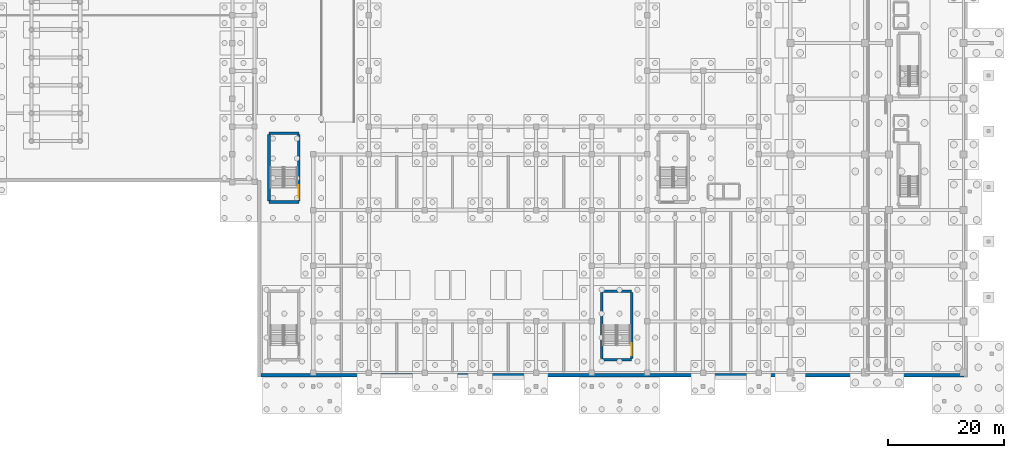
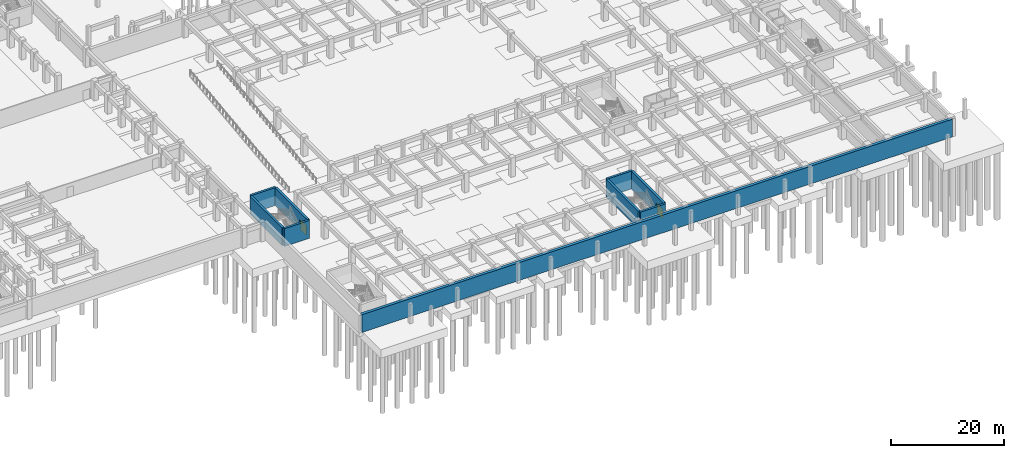
# One storey, part 17 of 39: 9 walls, 2 doors, 2 openings.
"""IFC4 building model written with IfcOpenShell, lengths in metres."""

from ifc_helpers import new_model, si_unit, direction, frame, frame_2d, origin, place, context, subcontext, project, spatial, rectangle, extrude, material, layer, layer_set, type_object, element, fill, save


model = new_model("IFC4")

# Units and contexts
model_context = context("Model", 3, precision=1e-05, world=origin(), true_north=direction((0.0, 1.0)))
body_context = subcontext(model_context, "Body", "Model", "MODEL_VIEW")
ifc_project = project(units=[si_unit("LENGTHUNIT", "METRE"), si_unit("AREAUNIT", "SQUARE_METRE"), si_unit("VOLUMEUNIT", "CUBIC_METRE"), si_unit("PLANEANGLEUNIT", "RADIAN"), si_unit("MASSUNIT", "GRAM", prefix="KILO")], contexts=[model_context])

# Site, building, storey
site_placement = place(None, origin())
site = spatial("IfcSite", under=ifc_project, at=site_placement, CompositionType="ELEMENT")
building_placement = place(site_placement, origin())
building = spatial("IfcBuilding", under=site, at=building_placement, Name="Nakhvara Creek Congress Hotel", CompositionType="ELEMENT")
storey_placement = place(building_placement, frame((0.0, 0.0, -8.39990234375)))
storey = spatial("IfcBuildingStorey", under=building, at=storey_placement, Name="B2", CompositionType="ELEMENT", Elevation=-8.39990234375)

# Walls
ifc_material_1 = material(Name="Concrete C50/60", Category="concrete")
ifc_layer_1 = layer(ifc_material_1, 0.449951171875)
ifc_layer_set_1 = layer_set([ifc_layer_1], Name="Concrete C50/60")
wall_type_1 = type_object("IfcWallType", Name="W-CORE-450", PredefinedType="SHEAR", material=ifc_layer_set_1)
for number, where, z_axis, x_axis, name in (
    (1, (116.949951171875, 2.97998046875, 0.0), (0.0, 0.0, 1.0), (1.0, 0.0, 0.0), "Core Shear Wall WS02-CWALL-B2-0955"),
    (2, (116.949951171875, 14.820068359375, 0.0), (0.0, 0.0, 1.0), (1.0, 0.0, 0.0), "Core Shear Wall WS02-CWALL-B2-0956"),
):
    element("IfcWall", number, at=place(storey_placement, frame(where, z_axis=z_axis, x_axis=x_axis)), inside=storey, type_object=wall_type_1, Name=name, PredefinedType="SHEAR", context=body_context, shape_type="SweptSolid", body=[
        extrude(rectangle(XDim=5.150146484375, YDim=0.449951171875, at=frame_2d((2.5751953125, 0.0))), origin(), (0.0, 0.0, 1.0), 3.85986328125),
    ])
wall_1_placement = place(storey_placement, frame((116.949951171875, 3.199951171875, 0.0), z_axis=(0.0, 0.0, 1.0), x_axis=(0.0, 1.0, 0.0)))
element("IfcWall", 3, at=wall_1_placement, inside=storey, type_object=wall_type_1, Name="Core Shear Wall WS02-CWALL-B2-0957", PredefinedType="SHEAR", context=body_context, shape_type="SweptSolid", body=[
    extrude(rectangle(XDim=11.400146484375, YDim=0.449951171875, at=frame_2d((5.7001953125, 0.0))), origin(), (0.0, 0.0, 1.0), 3.85986328125),
])

# Wall, opening, door
wall_2_placement = place(storey_placement, frame((122.10009765625, 3.199951171875, 0.0), z_axis=(0.0, 0.0, 1.0), x_axis=(0.0, 1.0, 0.0)))
wall_2 = element("IfcWall", 4, at=wall_2_placement, inside=storey, type_object=wall_type_1, Name="Core Shear Wall WS02-CWALL-B2-0958", PredefinedType="SHEAR", context=body_context, shape_type="SweptSolid", body=[
    extrude(rectangle(XDim=11.400146484375, YDim=0.449951171875, at=frame_2d((5.7001953125, 0.0))), origin(), (0.0, 0.0, 1.0), 3.85986328125),
])
opening_1_placement = place(wall_2_placement, frame((0.550048828125, 0.0, 0.0)))
opening_1 = element("IfcOpeningElement", 5, at=opening_1_placement, cuts=wall_2, Name="Opening FD19", PredefinedType="OPENING", context=body_context, shape_type="SweptSolid", body=[
    extrude(rectangle(XDim=2.10009765625, YDim=2.199951171875, at=frame_2d((1.050048828125, 1.10009765625))), frame((0.0, 0.23681640625, 0.0), z_axis=(0.0, -1.0, 0.0), x_axis=(1.0, 0.0, 0.0)), (0.0, 0.0, 1.0), 0.473876953125),
])
ifc_material_2 = material(Name="Galvanised steel acoustic fire door", Category="steel")
door_type = type_object("IfcDoorType", Name="DT-STAIR-220", OperationType="DOUBLE_DOOR_SINGLE_SWING", PredefinedType="DOOR", material=ifc_material_2)
door_1_placement = place(opening_1_placement, frame((2.10009765625, 0.0, 0.0), z_axis=(0.0, 0.0, 1.0), x_axis=(-1.0, 0.0, 0.0)))
door_1 = element("IfcDoor", 6, at=door_1_placement, inside=storey, type_object=door_type, Name="Stair Exit Door ST12-B2", OperationType="DOUBLE_DOOR_SINGLE_SWING", OverallHeight=2.199951171875, OverallWidth=2.10009765625, PredefinedType="DOOR", context=body_context, shape_type="SweptSolid", body=[
    extrude(rectangle(XDim=2.10009765625, YDim=2.199951171875, at=frame_2d((1.050048828125, 1.10009765625))), frame((0.0, 0.02490234375, 0.0), z_axis=(0.0, -1.0, 0.0), x_axis=(1.0, 0.0, 0.0)), (0.0, 0.0, 1.0), 0.050048828125),
])
fill(opening_1, door_1)

# Walls
for number, where, z_axis, x_axis, name in (
    (7, (59.550048828125, 30.179931640625, 0.0), (0.0, 0.0, 1.0), (1.0, 0.0, 0.0), "Core Shear Wall WS02-CWALL-B2-0979"),
    (8, (59.550048828125, 42.02001953125, 0.0), (0.0, 0.0, 1.0), (1.0, 0.0, 0.0), "Core Shear Wall WS02-CWALL-B2-0980"),
):
    element("IfcWall", number, at=place(storey_placement, frame(where, z_axis=z_axis, x_axis=x_axis)), inside=storey, type_object=wall_type_1, Name=name, PredefinedType="SHEAR", context=body_context, shape_type="SweptSolid", body=[
        extrude(rectangle(XDim=5.14990234375, YDim=0.449951171875, at=frame_2d((2.574951171875, 0.0))), origin(), (0.0, 0.0, 1.0), 3.85986328125),
    ])
wall_3_placement = place(storey_placement, frame((59.550048828125, 30.39990234375, 0.0), z_axis=(0.0, 0.0, 1.0), x_axis=(0.0, 1.0, 0.0)))
element("IfcWall", 9, at=wall_3_placement, inside=storey, type_object=wall_type_1, Name="Core Shear Wall WS02-CWALL-B2-0981", PredefinedType="SHEAR", context=body_context, shape_type="SweptSolid", body=[
    extrude(rectangle(XDim=11.400146484375, YDim=0.449951171875, at=frame_2d((5.7001953125, 0.0))), origin(), (0.0, 0.0, 1.0), 3.85986328125),
])

# Wall, opening, door
wall_4_placement = place(storey_placement, frame((64.699951171875, 30.39990234375, 0.0), z_axis=(0.0, 0.0, 1.0), x_axis=(0.0, 1.0, 0.0)))
wall_4 = element("IfcWall", 10, at=wall_4_placement, inside=storey, type_object=wall_type_1, Name="Core Shear Wall WS02-CWALL-B2-0982", PredefinedType="SHEAR", context=body_context, shape_type="SweptSolid", body=[
    extrude(rectangle(XDim=11.400146484375, YDim=0.449951171875, at=frame_2d((5.7001953125, 0.0))), origin(), (0.0, 0.0, 1.0), 3.85986328125),
])
opening_2_placement = place(wall_4_placement, frame((0.550048828125, 0.0, 0.0)))
opening_2 = element("IfcOpeningElement", 11, at=opening_2_placement, cuts=wall_4, Name="Opening FD19", PredefinedType="OPENING", context=body_context, shape_type="SweptSolid", body=[
    extrude(rectangle(XDim=2.10009765625, YDim=2.199951171875, at=frame_2d((1.050048828125, 1.10009765625))), frame((0.0, 0.23681640625, 0.0), z_axis=(0.0, -1.0, 0.0), x_axis=(1.0, 0.0, 0.0)), (0.0, 0.0, 1.0), 0.473876953125),
])
door_2_placement = place(opening_2_placement, frame((2.10009765625, 0.0, 0.0), z_axis=(0.0, 0.0, 1.0), x_axis=(-1.0, 0.0, 0.0)))
door_2 = element("IfcDoor", 12, at=door_2_placement, inside=storey, type_object=door_type, Name="Stair Exit Door ST13-B2", OperationType="DOUBLE_DOOR_SINGLE_SWING", OverallHeight=2.199951171875, OverallWidth=2.10009765625, PredefinedType="DOOR", context=body_context, shape_type="SweptSolid", body=[
    extrude(rectangle(XDim=2.10009765625, YDim=2.199951171875, at=frame_2d((1.050048828125, 1.10009765625))), frame((0.0, 0.02490234375, 0.0), z_axis=(0.0, -1.0, 0.0), x_axis=(1.0, 0.0, 0.0)), (0.0, 0.0, 1.0), 0.050048828125),
])
fill(opening_2, door_2)

# Wall
ifc_material_3 = material(Name="Concrete C40/50", Category="concrete")
ifc_layer_2 = layer(ifc_material_3, 0.60009765625)
ifc_layer_set_2 = layer_set([ifc_layer_2], Name="Concrete C40/50")
wall_type_2 = type_object("IfcWallType", Name="W-RET-600", PredefinedType="USERDEFINED", material=ifc_layer_set_2)
wall_5_placement = place(storey_placement, frame((179.39990234375, 0.300048828125, 0.0), z_axis=(0.0, 0.0, 1.0), x_axis=(-1.0, 0.0, 0.0)))
element("IfcWall", 13, at=wall_5_placement, inside=storey, type_object=wall_type_2, Name="Exterior Wall WR01-EW-B2-0008", ObjectType="RETAININGWALL", PredefinedType="USERDEFINED", context=body_context, shape_type="SweptSolid", body=[
    extrude(rectangle(XDim=121.199951171875, YDim=0.60009765625, at=frame_2d((60.60009765625, 0.0))), origin(), (0.0, 0.0, 1.0), 3.85986328125),
])

save(model, "model.ifc")
